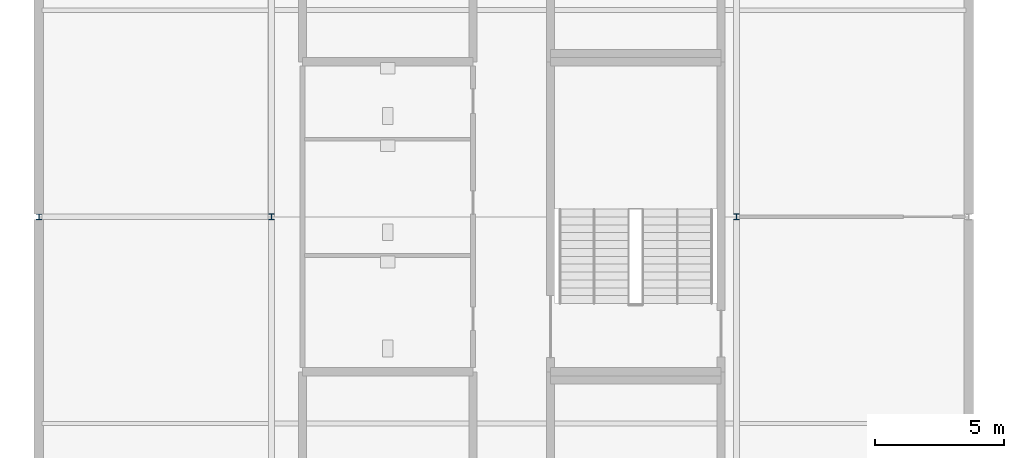
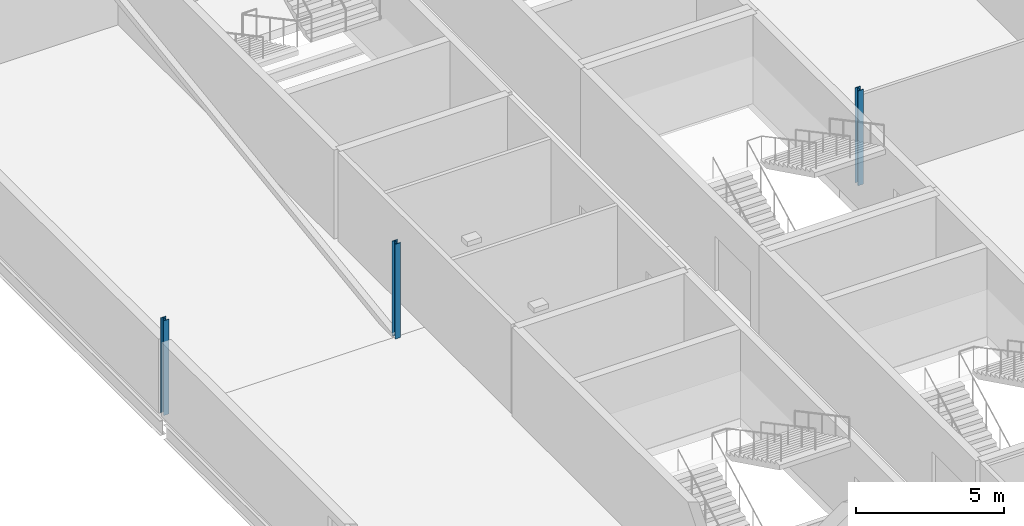
# One storey, part 4 of 35: 3 columns.
"""IFC4 building model written with IfcOpenShell, lengths in metres."""

from ifc_helpers import new_model, si_unit, direction, frame, origin, origin_2d, place, context, subcontext, project, spatial, i_section, extrude, material, material_profile, profile_set, type_object, element, save


model = new_model("IFC4")

# Units and contexts
model_context = context("Model", 3, precision=1e-05, world=origin(), true_north=direction((0.0, 1.0)))
body_context = subcontext(model_context, "Body", "Model", "MODEL_VIEW")
ifc_project = project(units=[si_unit("LENGTHUNIT", "METRE"), si_unit("AREAUNIT", "SQUARE_METRE"), si_unit("VOLUMEUNIT", "CUBIC_METRE"), si_unit("PLANEANGLEUNIT", "RADIAN"), si_unit("MASSUNIT", "GRAM", prefix="KILO")], contexts=[model_context])

# Site, building, storey
site_placement = place(None, origin())
site = spatial("IfcSite", under=ifc_project, at=site_placement, CompositionType="ELEMENT")
building_placement = place(site_placement, origin())
building = spatial("IfcBuilding", under=site, at=building_placement, Name="Kisiwana Market Hall", CompositionType="ELEMENT")
storey_placement = place(building_placement, frame((0.0, 0.0, 57.89990234375)))
storey = spatial("IfcBuildingStorey", under=building, at=storey_placement, Name="L13", CompositionType="ELEMENT", Elevation=57.89990234375)

# Columns
ifc_material_1 = material(Name="Steel S355", Category="steel")
ifc_material_profile_1 = material_profile(ifc_material_1, i_section(OverallWidth=0.205810546875, OverallDepth=0.209716796875, WebThickness=0.009521484375, FlangeThickness=0.01416015625, FilletRadius=0.01025390625, at=origin_2d()), Name="UC 203x203x60")
ifc_profile_set_1 = profile_set([ifc_material_profile_1], Name="Steel S355")
column_type_1 = type_object("IfcColumnType", Name="COL-STL-UC060", PredefinedType="COLUMN", material=ifc_profile_set_1)
column_placement = place(storey_placement, frame((0.0, 60.0, 0.0), z_axis=(0.0, 0.0, 1.0), x_axis=(1.0, 0.0, 0.0)))
element("IfcColumn", 1, at=column_placement, inside=storey, type_object=column_type_1, Name="Column H/1 (L13) C-1404", PredefinedType="COLUMN", context=body_context, shape_type="SweptSolid", body=[
    extrude(i_section(OverallWidth=0.205810546875, OverallDepth=0.209716796875, WebThickness=0.009521484375, FlangeThickness=0.01416015625, FilletRadius=0.01025390625, at=origin_2d()), origin(), (0.0, 0.0, 1.0), 3.900146484375),
])
ifc_material_2 = material(Name="Steel S355", Category="steel")
ifc_material_profile_2 = material_profile(ifc_material_2, i_section(OverallWidth=0.208984375, OverallDepth=0.22216796875, WebThickness=0.0126953125, FlangeThickness=0.0205078125, FilletRadius=0.01025390625, at=origin_2d()), Name="UC 203x203x86")
ifc_profile_set_2 = profile_set([ifc_material_profile_2], Name="Steel S355")
column_type_2 = type_object("IfcColumnType", Name="COL-STL-UC086", PredefinedType="COLUMN", material=ifc_profile_set_2)
for number, where, z_axis, x_axis, name in (
    (2, (27.0, 60.0, 0.0), (0.0, 0.0, 1.0), (1.0, 0.0, 0.0), "Column H/4 (L13) C-1413"),
    (3, (9.0, 60.0, 0.0), (0.0, 0.0, 1.0), (1.0, 0.0, 0.0), "Column H/2 (L13) C-1398"),
):
    element("IfcColumn", number, at=place(storey_placement, frame(where, z_axis=z_axis, x_axis=x_axis)), inside=storey, type_object=column_type_2, Name=name, PredefinedType="COLUMN", context=body_context, shape_type="SweptSolid", body=[
        extrude(i_section(OverallWidth=0.208984375, OverallDepth=0.22216796875, WebThickness=0.0126953125, FlangeThickness=0.0205078125, FilletRadius=0.01025390625, at=origin_2d()), origin(), (0.0, 0.0, 1.0), 3.900146484375),
    ])

save(model, "model.ifc")
